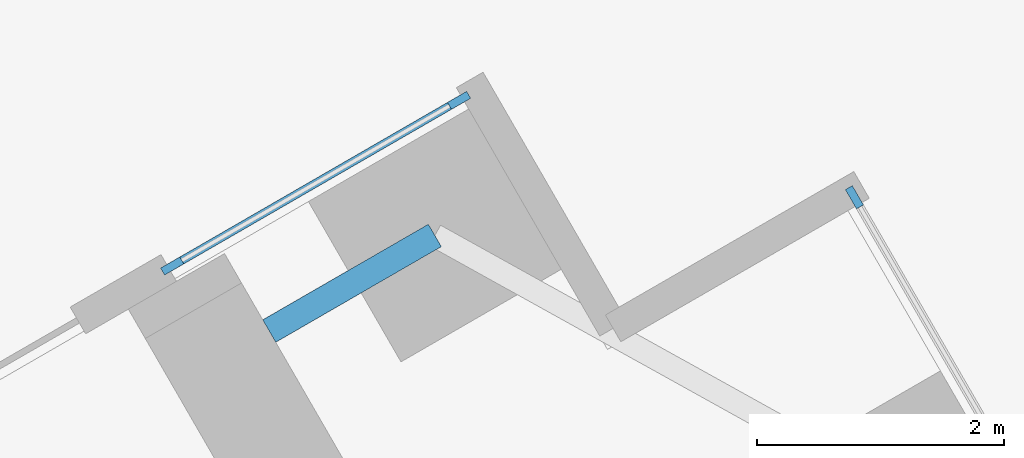
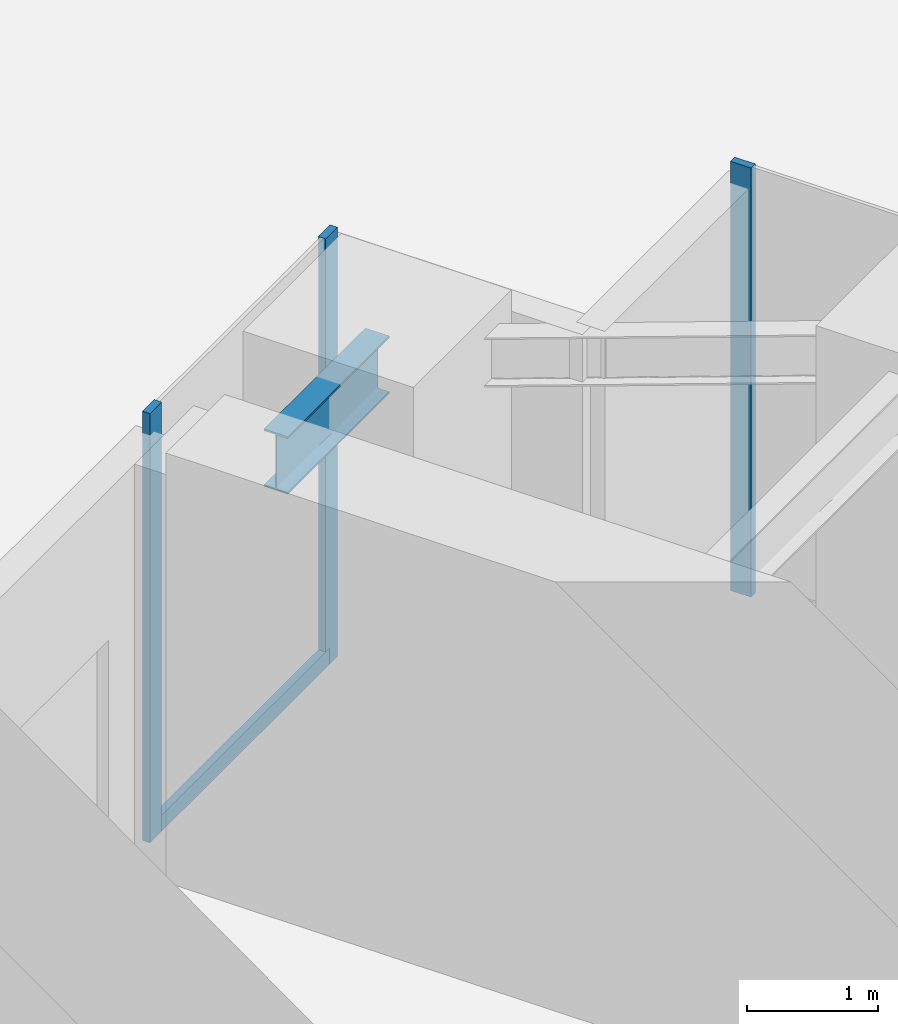
# One storey, part 10 of 23: 4 members, 1 beam, 2 elements without a shape of their own.
"""IFC4 building model written with IfcOpenShell, lengths in metres."""

from ifc_helpers import new_model, si_unit, direction, frame, origin, origin_2d, place, context, subcontext, project, spatial, rectangle, i_section, extrude, material, material_profile, profile_set, type_object, element, aggregate, save


model = new_model("IFC4")

# Units and contexts
model_context = context("Model", 3, precision=1e-05, world=origin(), true_north=direction((0.0, 1.0)))
body_context = subcontext(model_context, "Body", "Model", "MODEL_VIEW")
ifc_project = project(units=[si_unit("LENGTHUNIT", "METRE"), si_unit("AREAUNIT", "SQUARE_METRE"), si_unit("VOLUMEUNIT", "CUBIC_METRE"), si_unit("PLANEANGLEUNIT", "RADIAN"), si_unit("MASSUNIT", "GRAM", prefix="KILO")], contexts=[model_context])

# Site, building, storey
site_placement = place(None, origin())
site = spatial("IfcSite", under=ifc_project, at=site_placement, CompositionType="ELEMENT")
building_placement = place(site_placement, origin())
building = spatial("IfcBuilding", under=site, at=building_placement, Name="Upepo Twin Towers", CompositionType="ELEMENT")
storey_placement = place(building_placement, frame((0.0, 0.0, 20.5)))
storey = spatial("IfcBuildingStorey", under=building, at=storey_placement, Name="L04", CompositionType="ELEMENT", Elevation=20.5)

# Beam
ifc_material_1 = material(Name="Steel S355", Category="steel")
ifc_material_profile_1 = material_profile(ifc_material_1, i_section(OverallWidth=0.2099609375, OverallDepth=0.53662109375, WebThickness=0.0107421875, FlangeThickness=0.017333984375, FilletRadius=0.0126953125, at=origin_2d()), Name="UB 533x210x101")
ifc_profile_set_1 = profile_set([ifc_material_profile_1], Name="Steel S355")
beam_type = type_object("IfcBeamType", Name="Beam UB 533x210x101", PredefinedType="BEAM", material=ifc_profile_set_1)
beam_placement = place(storey_placement, frame((-9.87744140625, 24.608154296875, 3.53173828125), z_axis=(-0.866043940782, -0.499967891604, 0.0), x_axis=(0.499967891604, -0.866043940782, 0.0)))
element("IfcBeam", 1, at=beam_placement, inside=storey, type_object=beam_type, Name="T1 nose beam BR", PredefinedType="BEAM", context=body_context, shape_type="SweptSolid", body=[
    extrude(i_section(OverallWidth=0.2099609375, OverallDepth=0.53662109375, WebThickness=0.0107421875, FlangeThickness=0.017333984375, FilletRadius=0.0126953125, at=origin_2d()), origin(), (0.0, 0.0, 1.0), 1.5498046875),
])

# Curtain wall, member
ifc_material_2 = material(Name="Aluminium and fritted glass", Category="aluminium")
curtain_wall_type = type_object("IfcCurtainWallType", Name="Tower curtain wall TW1, fritted glass", PredefinedType="NOTDEFINED", material=ifc_material_2)
curtain_wall_1_placement = place(storey_placement, origin())
curtain_wall_1 = element("IfcCurtainWall", 2, at=curtain_wall_1_placement, inside=storey, type_object=curtain_wall_type, Name="T1 L04 wing B flank R curtain wall", PredefinedType="NOTDEFINED")
ifc_material_3 = material(Name="Aluminium mullion", Category="aluminium")
ifc_material_profile_2 = material_profile(ifc_material_3, rectangle(XDim=0.06494140625, YDim=0.179931640625, at=origin_2d()), Name="MULLION 65x180")
ifc_profile_set_2 = profile_set([ifc_material_profile_2], Name="Aluminium mullion")
member_type_1 = type_object("IfcMemberType", Name="Mullion 65x180 TW1", PredefinedType="MULLION", material=ifc_profile_set_2)
member_1_placement = place(storey_placement, frame((-6.4765625, 24.91748046875, 0.0), z_axis=(0.0, 0.0, 1.0), x_axis=(0.866025389682, 0.500000024426, 0.0)))
member_1 = element("IfcMember", 3, at=member_1_placement, type_object=member_type_1, Name="T1 L04 wing B flank R curtain wall mullion 1", PredefinedType="MULLION", context=body_context, shape_type="SweptSolid", body=[
    extrude(rectangle(XDim=0.06494140625, YDim=0.179931640625, at=origin_2d()), origin(), (0.0, 0.0, 1.0), 4.0),
])
aggregate(curtain_wall_1, [member_1])

# Curtain wall, members
curtain_wall_2_placement = place(storey_placement, origin())
curtain_wall_2 = element("IfcCurtainWall", 4, at=curtain_wall_2_placement, inside=storey, type_object=curtain_wall_type, Name="T1 L04 wing B nose curtain wall 0", PredefinedType="NOTDEFINED")
member_2_placement = place(storey_placement, frame((-9.68115234375, 25.703125, 0.0), z_axis=(0.0, 0.0, 1.0), x_axis=(0.499999978023, -0.866025416473, 0.0)))
member_2 = element("IfcMember", 5, at=member_2_placement, type_object=member_type_1, Name="T1 L04 wing B nose curtain wall 0 mullion 1", PredefinedType="MULLION", context=body_context, shape_type="SweptSolid", body=[
    extrude(rectangle(XDim=0.06494140625, YDim=0.179931640625, at=origin_2d()), origin(), (0.0, 0.0, 1.0), 4.0),
])
member_3_placement = place(storey_placement, frame((-12.00634765625, 24.360595703125, 0.0), z_axis=(0.0, 0.0, 1.0), x_axis=(0.499999978023, -0.866025416473, 0.0)))
member_3 = element("IfcMember", 6, at=member_3_placement, type_object=member_type_1, Name="T1 L04 wing B nose curtain wall 0 mullion 2", PredefinedType="MULLION", context=body_context, shape_type="SweptSolid", body=[
    extrude(rectangle(XDim=0.06494140625, YDim=0.179931640625, at=origin_2d()), origin(), (0.0, 0.0, 1.0), 4.0),
])
ifc_material_4 = material(Name="Aluminium transom", Category="aluminium")
ifc_material_profile_3 = material_profile(ifc_material_4, rectangle(XDim=0.06494140625, YDim=0.14990234375, at=origin_2d()), Name="TRANSOM 65x150")
ifc_profile_set_3 = profile_set([ifc_material_profile_3], Name="Aluminium transom")
member_type_2 = type_object("IfcMemberType", Name="Transom 65x150 TW1", PredefinedType="USERDEFINED", material=ifc_profile_set_3)
member_4_placement = place(storey_placement, frame((-9.709228515625, 25.686767578125, 0.074951171875), z_axis=(-0.866021102686, -0.500007449647, 0.0), x_axis=(0.500007449647, -0.866021102686, 0.0)))
member_4 = element("IfcMember", 7, at=member_4_placement, type_object=member_type_2, Name="T1 L04 wing B nose curtain wall 0 transom 1", ObjectType="TRANSOM", PredefinedType="USERDEFINED", context=body_context, shape_type="SweptSolid", body=[
    extrude(rectangle(XDim=0.06494140625, YDim=0.14990234375, at=origin_2d()), origin(), (0.0, 0.0, 1.0), 2.6201171875),
])
aggregate(curtain_wall_2, [member_2, member_3, member_4])

save(model, "model.ifc")
